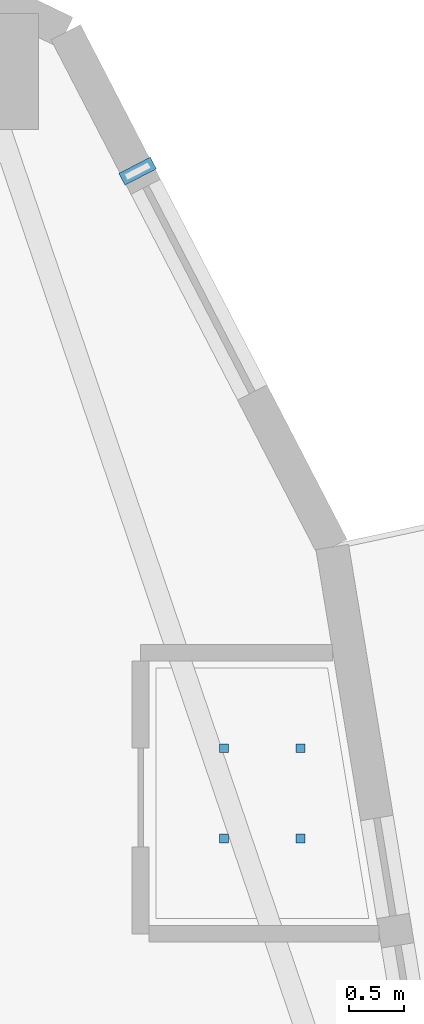
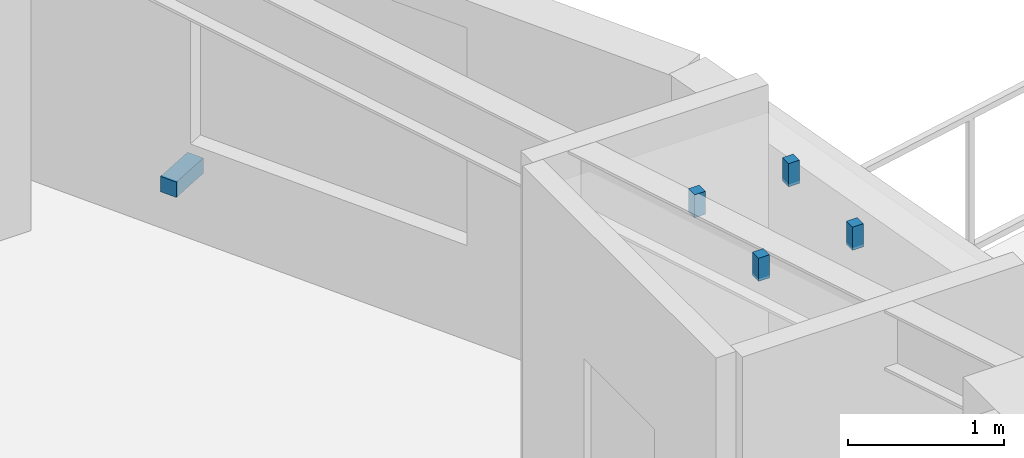
# One storey, part 8 of 14: 5 discrete accessories.
"""IFC4 building model written with IfcOpenShell, lengths in metres."""

from ifc_helpers import new_model, si_unit, direction, frame, origin, origin_2d, place, context, subcontext, project, spatial, rectangle, extrude, material, type_object, element, save


model = new_model("IFC4")

# Units and contexts
model_context = context("Model", 3, precision=1e-05, world=origin(), true_north=direction((0.0, 1.0)))
body_context = subcontext(model_context, "Body", "Model", "MODEL_VIEW")
ifc_project = project(units=[si_unit("LENGTHUNIT", "METRE"), si_unit("AREAUNIT", "SQUARE_METRE"), si_unit("VOLUMEUNIT", "CUBIC_METRE"), si_unit("PLANEANGLEUNIT", "RADIAN"), si_unit("MASSUNIT", "GRAM", prefix="KILO")], contexts=[model_context])

# Site, building, storey
site_placement = place(None, origin())
site = spatial("IfcSite", under=ifc_project, at=site_placement, CompositionType="ELEMENT")
building_placement = place(site_placement, origin())
building = spatial("IfcBuilding", under=site, at=building_placement, Name="Kolvaren Gate Tower and Convention Centre", CompositionType="ELEMENT")
storey_placement = place(building_placement, frame((0.0, 0.0, 118.89990234375)))
storey = spatial("IfcBuildingStorey", under=building, at=storey_placement, Name="L29", CompositionType="ELEMENT", Elevation=118.89990234375)

# Discrete accessories
ifc_material_1 = material(Name="Anodized Architectural Aluminium Alloy 6063-T6", Category="aluminium")
discrete_accessory_type_1 = type_object("IfcDiscreteAccessoryType", Name="ARCH-ACC-BRACKET-120", PredefinedType="BRACKET", material=ifc_material_1)
discrete_accessory_placement = place(storey_placement, frame((51.72412109375, 35.415771484375, 0.2900390625), z_axis=(0.0, 0.0, 1.0), x_axis=(0.459781360558, -0.888032150591, 0.0)))
element("IfcDiscreteAccessory", 1, at=discrete_accessory_placement, inside=storey, type_object=discrete_accessory_type_1, Name="Ceramic Fin Wall Anchor Bracket FBK-L29-01", PredefinedType="BRACKET", context=body_context, shape_type="SweptSolid", body=[
    extrude(rectangle(XDim=0.1201171875, YDim=0.320068359375, at=origin_2d()), origin(), (0.0, 0.0, 1.0), 0.1201171875),
])
ifc_material_2 = material(Name="Brushed Stainless Steel Grade 316L", Category="steel")
discrete_accessory_type_2 = type_object("IfcDiscreteAccessoryType", Name="ARCH-ACC-HANGER-80", PredefinedType="BRACKET", material=ifc_material_2)
for number, where, z_axis, x_axis, name in (
    (2, (52.508056640625, 29.365966796875, 2.9501953125), (0.0, 0.0, 1.0), (1.0, 0.0, 0.0), "En-suite Bathroom (HTL-L29-05) Ceiling Suspension Hanger Clip 1"),
    (3, (53.201904296875, 29.365966796875, 2.9501953125), (0.0, 0.0, 1.0), (1.0, 0.0, 0.0), "En-suite Bathroom (HTL-L29-05) Ceiling Suspension Hanger Clip 2"),
    (4, (52.508056640625, 30.18408203125, 2.9501953125), (0.0, 0.0, 1.0), (1.0, 0.0, 0.0), "En-suite Bathroom (HTL-L29-05) Ceiling Suspension Hanger Clip 3"),
    (5, (53.201904296875, 30.18408203125, 2.9501953125), (0.0, 0.0, 1.0), (1.0, 0.0, 0.0), "En-suite Bathroom (HTL-L29-05) Ceiling Suspension Hanger Clip 4"),
):
    element("IfcDiscreteAccessory", number, at=place(storey_placement, frame(where, z_axis=z_axis, x_axis=x_axis)), inside=storey, type_object=discrete_accessory_type_2, Name=name, PredefinedType="BRACKET", context=body_context, shape_type="SweptSolid", body=[
        extrude(rectangle(XDim=0.080078125, YDim=0.080078125, at=origin_2d()), origin(), (0.0, 0.0, 1.0), 0.179931640625),
    ])

save(model, "model.ifc")
